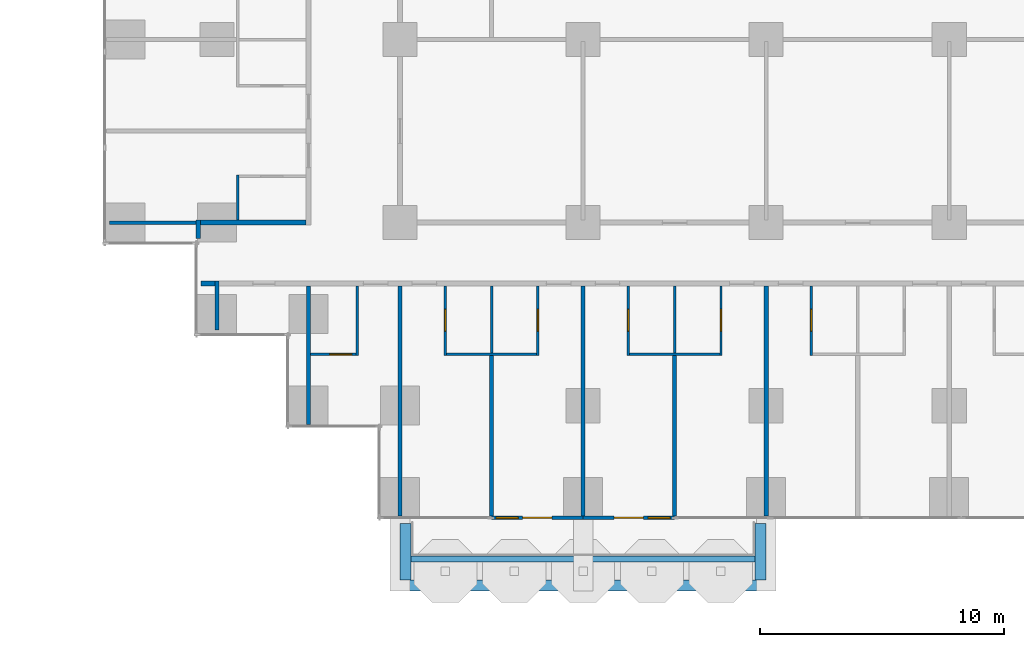
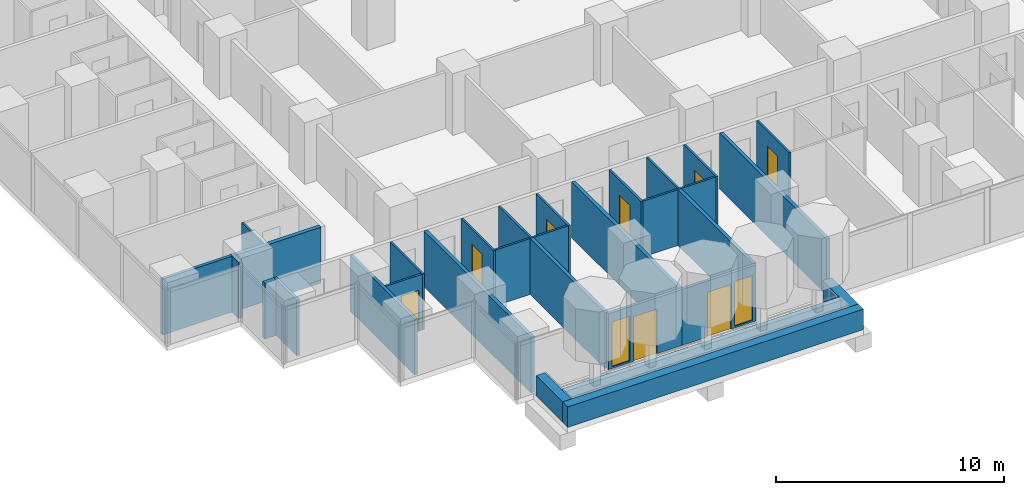
# One storey, part 9 of 18: 29 walls, 8 doors, 2 windows, 10 openings.
"""IFC4 building model written with IfcOpenShell, lengths in metres."""

from ifc_helpers import new_model, si_unit, direction, frame, frame_2d, origin, place, context, subcontext, project, spatial, rectangle, extrude, material, layer, layer_set, type_object, element, fill, save


model = new_model("IFC4")

# Units and contexts
model_context = context("Model", 3, precision=1e-05, world=origin(), true_north=direction((0.0, 1.0)))
body_context = subcontext(model_context, "Body", "Model", "MODEL_VIEW")
ifc_project = project(units=[si_unit("LENGTHUNIT", "METRE"), si_unit("AREAUNIT", "SQUARE_METRE"), si_unit("VOLUMEUNIT", "CUBIC_METRE"), si_unit("PLANEANGLEUNIT", "RADIAN"), si_unit("MASSUNIT", "GRAM", prefix="KILO")], contexts=[model_context])

# Site, building, storey
site_placement = place(None, origin())
site = spatial("IfcSite", under=ifc_project, at=site_placement, CompositionType="ELEMENT")
building_placement = place(site_placement, origin())
building = spatial("IfcBuilding", under=site, at=building_placement, Name="Pilkhan Gate Tower", CompositionType="ELEMENT")
storey_placement = place(building_placement, frame((0.0, 0.0, 42.800048828125)))
storey = spatial("IfcBuildingStorey", under=building, at=storey_placement, Name="L07", CompositionType="ELEMENT", Elevation=42.800048828125)

# Walls
ifc_material_1 = material(Name="Dense blockwork", Category="masonry")
ifc_layer_1 = layer(ifc_material_1, 0.175048828125)
ifc_layer_set_1 = layer_set([ifc_layer_1], Name="Acoustic party wall PW175")
wall_type_1 = type_object("IfcWallType", Name="Acoustic party wall PW175", PredefinedType="PARTITIONING", material=ifc_layer_set_1)
wall_1_placement = place(storey_placement, frame((60.0, 40.485107421875, 0.0), z_axis=(0.0, 0.0, 1.0), x_axis=(0.0, 1.0, 0.0)))
element("IfcWall", 1, at=wall_1_placement, inside=storey, type_object=wall_type_1, Name="Partition L07", PredefinedType="PARTITIONING", context=body_context, shape_type="SweptSolid", body=[
    extrude(rectangle(XDim=9.414794921875, YDim=0.175048828125, at=frame_2d((4.70751953125, 0.0))), origin(), (0.0, 0.0, 1.0), 3.0),
])
wall_2_placement = place(storey_placement, frame((63.75, 40.485107421875, 0.0), z_axis=(0.0, 0.0, 1.0), x_axis=(0.0, 1.0, 0.0)))
element("IfcWall", 2, at=wall_2_placement, inside=storey, type_object=wall_type_1, Name="Partition L07", PredefinedType="PARTITIONING", context=body_context, shape_type="SweptSolid", body=[
    extrude(rectangle(XDim=6.56494140625, YDim=0.175048828125, at=frame_2d((3.282470703125, 0.0))), origin(), (0.0, 0.0, 1.0), 3.0),
])
wall_3_placement = place(storey_placement, frame((67.5, 40.485107421875, 0.0), z_axis=(0.0, 0.0, 1.0), x_axis=(0.0, 1.0, 0.0)))
element("IfcWall", 3, at=wall_3_placement, inside=storey, type_object=wall_type_1, Name="Partition L07", PredefinedType="PARTITIONING", context=body_context, shape_type="SweptSolid", body=[
    extrude(rectangle(XDim=9.414794921875, YDim=0.175048828125, at=frame_2d((4.70751953125, 0.0))), origin(), (0.0, 0.0, 1.0), 3.0),
])
wall_4_placement = place(storey_placement, frame((71.25, 40.485107421875, 0.0), z_axis=(0.0, 0.0, 1.0), x_axis=(0.0, 1.0, 0.0)))
element("IfcWall", 4, at=wall_4_placement, inside=storey, type_object=wall_type_1, Name="Partition L07", PredefinedType="PARTITIONING", context=body_context, shape_type="SweptSolid", body=[
    extrude(rectangle(XDim=6.56494140625, YDim=0.175048828125, at=frame_2d((3.282470703125, 0.0))), origin(), (0.0, 0.0, 1.0), 3.0),
])
wall_5_placement = place(storey_placement, frame((75.0, 40.485107421875, 0.0), z_axis=(0.0, 0.0, 1.0), x_axis=(0.0, 1.0, 0.0)))
element("IfcWall", 5, at=wall_5_placement, inside=storey, type_object=wall_type_1, Name="Partition L07", PredefinedType="PARTITIONING", context=body_context, shape_type="SweptSolid", body=[
    extrude(rectangle(XDim=9.414794921875, YDim=0.175048828125, at=frame_2d((4.70751953125, 0.0))), origin(), (0.0, 0.0, 1.0), 3.0),
])
ifc_material_2 = material(Name="Concrete C40/50", Category="concrete")
ifc_layer_2 = layer(ifc_material_2, 0.25)
ifc_layer_set_2 = layer_set([ifc_layer_2], Name="Balcony planter BP250")
wall_type_2 = type_object("IfcWallType", Name="Balcony planter BP250", PredefinedType="USERDEFINED", material=ifc_layer_set_2)
wall_6_placement = place(storey_placement, frame((60.449951171875, 38.72509765625, 0.0), z_axis=(0.0, 0.0, 1.0), x_axis=(1.0, 0.0, 0.0)))
element("IfcWall", 6, at=wall_6_placement, inside=storey, type_object=wall_type_2, Name="Balcony planter L07 S", ObjectType="BALCONY PLANTER", PredefinedType="USERDEFINED", context=body_context, shape_type="SweptSolid", body=[
    extrude(rectangle(XDim=14.10009765625, YDim=0.25, at=frame_2d((7.050048828125, 0.0))), origin(), (0.0, 0.0, 1.0), 1.0),
])
ifc_material_3 = material(Name="Board-marked Concrete C40/50", Category="concrete")
ifc_layer_3 = layer(ifc_material_3, 0.449951171875)
ifc_layer_set_3 = layer_set([ifc_layer_3], Name="Balcony planter lip BL450")
wall_type_3 = type_object("IfcWallType", Name="Balcony planter lip BL450", PredefinedType="USERDEFINED", material=ifc_layer_set_3)
wall_7_placement = place(storey_placement, frame((60.0, 37.625, 0.0), z_axis=(0.0, 0.0, 1.0), x_axis=(1.0, 0.0, 0.0)))
element("IfcWall", 7, at=wall_7_placement, inside=storey, type_object=wall_type_3, Name="Balcony planter L07 S", ObjectType="BALCONY PLANTER", PredefinedType="USERDEFINED", context=body_context, shape_type="SweptSolid", body=[
    extrude(rectangle(XDim=15.0, YDim=0.449951171875, at=frame_2d((7.5, 0.0))), origin(), (0.0, 0.0, 1.0), 1.099853515625),
])
for number, where, z_axis, x_axis, name in (
    (8, (60.22509765625, 40.179931640625, 0.0), (0.0, 0.0, 1.0), (0.0, -1.0, 0.0), "Balcony planter L07 S"),
    (9, (74.77490234375, 40.179931640625, 0.0), (0.0, 0.0, 1.0), (0.0, -1.0, 0.0), "Balcony planter L07 S"),
):
    element("IfcWall", number, at=place(storey_placement, frame(where, z_axis=z_axis, x_axis=x_axis)), inside=storey, type_object=wall_type_3, Name=name, ObjectType="BALCONY PLANTER", PredefinedType="USERDEFINED", context=body_context, shape_type="SweptSolid", body=[
        extrude(rectangle(XDim=2.329833984375, YDim=0.449951171875, at=frame_2d((1.1650390625, 0.0))), origin(), (0.0, 0.0, 1.0), 1.099853515625),
    ])
ifc_layer_4 = layer(ifc_material_1, 0.199951171875)
ifc_layer_set_4 = layer_set([ifc_layer_4], Name="Corridor wall FW200")
wall_type_4 = type_object("IfcWallType", Name="Corridor wall FW200", PredefinedType="PARTITIONING", material=ifc_layer_set_4)
wall_8_placement = place(storey_placement, frame((51.85498046875, 50.0, 0.0), z_axis=(0.0, 0.0, 1.0), x_axis=(1.0, 0.0, 0.0)))
element("IfcWall", 10, at=wall_8_placement, inside=storey, type_object=wall_type_4, Name="Partition L07", PredefinedType="PARTITIONING", context=body_context, shape_type="SweptSolid", body=[
    extrude(rectangle(XDim=0.570068359375, YDim=0.199951171875, at=frame_2d((0.28515625, 0.0))), origin(), (0.0, 0.0, 1.0), 3.0),
])
wall_9_placement = place(storey_placement, frame((51.8349609375, 52.5, 0.0), z_axis=(0.0, 0.0, 1.0), x_axis=(1.0, 0.0, 0.0)))
element("IfcWall", 11, at=wall_9_placement, inside=storey, type_object=wall_type_4, Name="Partition L07", PredefinedType="PARTITIONING", context=body_context, shape_type="SweptSolid", body=[
    extrude(rectangle(XDim=4.31494140625, YDim=0.199951171875, at=frame_2d((2.157470703125, 0.0))), origin(), (0.0, 0.0, 1.0), 3.0),
])
wall_10_placement = place(storey_placement, frame((51.735107421875, 51.85498046875, 0.0), z_axis=(0.0, 0.0, 1.0), x_axis=(0.0, 1.0, 0.0)))
element("IfcWall", 12, at=wall_10_placement, inside=storey, type_object=wall_type_4, Name="Partition L07", PredefinedType="PARTITIONING", context=body_context, shape_type="SweptSolid", body=[
    extrude(rectangle(XDim=0.7451171875, YDim=0.199951171875, at=frame_2d((0.37255859375, 0.0))), origin(), (0.0, 0.0, 1.0), 3.0),
])

# Wall, openings, door, window
ifc_material_4 = material(Name="Pale anodised aluminium, clear laminated glazing", Category="aluminium")
ifc_layer_5 = layer(ifc_material_4, 0.14990234375)
ifc_layer_set_5 = layer_set([ifc_layer_5], Name="Facade infill wall IW150")
wall_type_5 = type_object("IfcWallType", Name="Facade infill wall IW150", PredefinedType="SOLIDWALL", material=ifc_layer_set_5)
wall_11_placement = place(storey_placement, frame((63.75, 40.405029296875, 0.0), z_axis=(0.0, 0.0, 1.0), x_axis=(1.0, 0.0, 0.0)))
wall_11 = element("IfcWall", 13, at=wall_11_placement, inside=storey, type_object=wall_type_5, Name="Infill wall L07 S", PredefinedType="SOLIDWALL", context=body_context, shape_type="SweptSolid", body=[
    extrude(rectangle(XDim=3.75, YDim=0.14990234375, at=frame_2d((1.875, 0.0))), origin(), (0.0, 0.0, 1.0), 3.0),
])
opening_1_placement = place(wall_11_placement, frame((0.1875, 0.0, 0.10009765625)))
opening_1 = element("IfcOpeningElement", 14, at=opening_1_placement, cuts=wall_11, Name="Opening W1", PredefinedType="OPENING", context=body_context, shape_type="SweptSolid", body=[
    extrude(rectangle(XDim=0.89990234375, YDim=2.39990234375, at=frame_2d((0.449951171875, 1.199951171875))), frame((0.0, 0.0849609375, 0.0), z_axis=(0.0, -1.0, 0.0), x_axis=(1.0, 0.0, 0.0)), (0.0, 0.0, 1.0), 0.169921875),
])
opening_2_placement = place(wall_11_placement, frame((1.27490234375, 0.0, 0.0)))
opening_2 = element("IfcOpeningElement", 15, at=opening_2_placement, cuts=wall_11, Name="Opening D1", PredefinedType="OPENING", context=body_context, shape_type="SweptSolid", body=[
    extrude(rectangle(XDim=1.199951171875, YDim=2.39990234375, at=frame_2d((0.60009765625, 1.199951171875))), frame((0.0, 0.0849609375, 0.0), z_axis=(0.0, -1.0, 0.0), x_axis=(1.0, 0.0, 0.0)), (0.0, 0.0, 1.0), 0.169921875),
])
ifc_material_5 = material(Name="Pale anodised aluminium, clear glazing", Category="aluminium")
door_type_1 = type_object("IfcDoorType", Name="Balcony door D1 1200x2400", OperationType="SINGLE_SWING_LEFT", PredefinedType="DOOR", material=ifc_material_5)
door_1_placement = place(opening_2_placement, origin())
door_1 = element("IfcDoor", 16, at=door_1_placement, inside=storey, type_object=door_type_1, Name="Balcony door L07", OperationType="SINGLE_SWING_LEFT", OverallHeight=2.39990234375, OverallWidth=1.199951171875, PredefinedType="DOOR", context=body_context, shape_type="SweptSolid", body=[
    extrude(rectangle(XDim=1.199951171875, YDim=2.39990234375, at=frame_2d((0.60009765625, 1.199951171875))), frame((0.0, 0.02490234375, 0.0), z_axis=(0.0, -1.0, 0.0), x_axis=(1.0, 0.0, 0.0)), (0.0, 0.0, 1.0), 0.050048828125),
])
fill(opening_2, door_1)
ifc_material_6 = material(Name="Pale anodised aluminium, clear double glazing", Category="aluminium")
window_type = type_object("IfcWindowType", Name="Window W1 900x2400", PartitioningType="SINGLE_PANEL", PredefinedType="WINDOW", material=ifc_material_6)
window_1_placement = place(opening_1_placement, origin())
window_1 = element("IfcWindow", 17, at=window_1_placement, inside=storey, type_object=window_type, Name="Window L07", OverallHeight=2.39990234375, OverallWidth=0.89990234375, PartitioningType="SINGLE_PANEL", PredefinedType="WINDOW", context=body_context, shape_type="SweptSolid", body=[
    extrude(rectangle(XDim=0.89990234375, YDim=2.39990234375, at=frame_2d((0.449951171875, 1.199951171875))), frame((0.0, 0.030029296875, 0.0), z_axis=(0.0, -1.0, 0.0), x_axis=(1.0, 0.0, 0.0)), (0.0, 0.0, 1.0), 0.06005859375),
])
fill(opening_1, window_1)

wall_12_placement = place(storey_placement, frame((67.5, 40.405029296875, 0.0), z_axis=(0.0, 0.0, 1.0), x_axis=(1.0, 0.0, 0.0)))
wall_12 = element("IfcWall", 18, at=wall_12_placement, inside=storey, type_object=wall_type_5, Name="Infill wall L07 S", PredefinedType="SOLIDWALL", context=body_context, shape_type="SweptSolid", body=[
    extrude(rectangle(XDim=3.75, YDim=0.14990234375, at=frame_2d((1.875, 0.0))), origin(), (0.0, 0.0, 1.0), 3.0),
])
opening_3_placement = place(wall_12_placement, frame((1.27490234375, 0.0, 0.0)))
opening_3 = element("IfcOpeningElement", 19, at=opening_3_placement, cuts=wall_12, Name="Opening D1", PredefinedType="OPENING", context=body_context, shape_type="SweptSolid", body=[
    extrude(rectangle(XDim=1.199951171875, YDim=2.39990234375, at=frame_2d((0.60009765625, 1.199951171875))), frame((0.0, 0.0849609375, 0.0), z_axis=(0.0, -1.0, 0.0), x_axis=(1.0, 0.0, 0.0)), (0.0, 0.0, 1.0), 0.169921875),
])
opening_4_placement = place(wall_12_placement, frame((2.66259765625, 0.0, 0.10009765625)))
opening_4 = element("IfcOpeningElement", 20, at=opening_4_placement, cuts=wall_12, Name="Opening W1", PredefinedType="OPENING", context=body_context, shape_type="SweptSolid", body=[
    extrude(rectangle(XDim=0.89990234375, YDim=2.39990234375, at=frame_2d((0.449951171875, 1.199951171875))), frame((0.0, 0.0849609375, 0.0), z_axis=(0.0, -1.0, 0.0), x_axis=(1.0, 0.0, 0.0)), (0.0, 0.0, 1.0), 0.169921875),
])
door_2_placement = place(opening_3_placement, origin())
door_2 = element("IfcDoor", 21, at=door_2_placement, inside=storey, type_object=door_type_1, Name="Balcony door L07", OperationType="SINGLE_SWING_LEFT", OverallHeight=2.39990234375, OverallWidth=1.199951171875, PredefinedType="DOOR", context=body_context, shape_type="SweptSolid", body=[
    extrude(rectangle(XDim=1.199951171875, YDim=2.39990234375, at=frame_2d((0.60009765625, 1.199951171875))), frame((0.0, 0.02490234375, 0.0), z_axis=(0.0, -1.0, 0.0), x_axis=(1.0, 0.0, 0.0)), (0.0, 0.0, 1.0), 0.050048828125),
])
fill(opening_3, door_2)
window_2_placement = place(opening_4_placement, origin())
window_2 = element("IfcWindow", 22, at=window_2_placement, inside=storey, type_object=window_type, Name="Window L07", OverallHeight=2.39990234375, OverallWidth=0.89990234375, PartitioningType="SINGLE_PANEL", PredefinedType="WINDOW", context=body_context, shape_type="SweptSolid", body=[
    extrude(rectangle(XDim=0.89990234375, YDim=2.39990234375, at=frame_2d((0.449951171875, 1.199951171875))), frame((0.0, 0.030029296875, 0.0), z_axis=(0.0, -1.0, 0.0), x_axis=(1.0, 0.0, 0.0)), (0.0, 0.0, 1.0), 0.06005859375),
])
fill(opening_4, window_2)

# Walls
ifc_material_7 = material(Name="Blockwork partition, plastered both sides", Category="masonry")
ifc_layer_6 = layer(ifc_material_7, 0.14990234375)
ifc_layer_set_6 = layer_set([ifc_layer_6], Name="Partition PW150")
wall_type_6 = type_object("IfcWallType", Name="Partition PW150", PredefinedType="PARTITIONING", material=ifc_layer_set_6)
wall_13_placement = place(storey_placement, frame((48.10498046875, 52.5, 0.0), z_axis=(0.0, 0.0, 1.0), x_axis=(1.0, 0.0, 0.0)))
element("IfcWall", 23, at=wall_13_placement, inside=storey, type_object=wall_type_6, Name="Partition L07", PredefinedType="PARTITIONING", context=body_context, shape_type="SweptSolid", body=[
    extrude(rectangle(XDim=3.530029296875, YDim=0.14990234375, at=frame_2d((1.76513671875, 0.0))), origin(), (0.0, 0.0, 1.0), 3.0),
])
wall_14_placement = place(storey_placement, frame((52.5, 48.10498046875, 0.0), z_axis=(0.0, 0.0, 1.0), x_axis=(0.0, 1.0, 0.0)))
element("IfcWall", 24, at=wall_14_placement, inside=storey, type_object=wall_type_6, Name="Partition L07", PredefinedType="PARTITIONING", context=body_context, shape_type="SweptSolid", body=[
    extrude(rectangle(XDim=1.9951171875, YDim=0.14990234375, at=frame_2d((0.99755859375, 0.0))), origin(), (0.0, 0.0, 1.0), 3.0),
])
wall_15_placement = place(storey_placement, frame((56.25, 44.235107421875, 0.0), z_axis=(0.0, 0.0, 1.0), x_axis=(0.0, 1.0, 0.0)))
element("IfcWall", 25, at=wall_15_placement, inside=storey, type_object=wall_type_6, Name="Partition L07", PredefinedType="PARTITIONING", context=body_context, shape_type="SweptSolid", body=[
    extrude(rectangle(XDim=5.664794921875, YDim=0.14990234375, at=frame_2d((2.83251953125, 0.0))), origin(), (0.0, 0.0, 1.0), 3.0),
])

# Wall, opening, door
ifc_material_8 = material(Name="Moisture resistant board, tiled")
ifc_layer_7 = layer(ifc_material_8, 0.10009765625)
ifc_layer_set_7 = layer_set([ifc_layer_7], Name="Wet wall PW100")
wall_type_7 = type_object("IfcWallType", Name="Wet wall PW100", PredefinedType="PARTITIONING", material=ifc_layer_set_7)
wall_16_placement = place(storey_placement, frame((56.324951171875, 47.10009765625, 0.0), z_axis=(0.0, 0.0, 1.0), x_axis=(1.0, 0.0, 0.0)))
wall_16 = element("IfcWall", 26, at=wall_16_placement, inside=storey, type_object=wall_type_7, Name="Partition L07", PredefinedType="PARTITIONING", context=body_context, shape_type="SweptSolid", body=[
    extrude(rectangle(XDim=1.875, YDim=0.10009765625, at=frame_2d((0.9375, 0.0))), origin(), (0.0, 0.0, 1.0), 3.0),
])
opening_5_placement = place(wall_16_placement, frame((0.800048828125, 0.0, 0.0)))
opening_5 = element("IfcOpeningElement", 27, at=opening_5_placement, cuts=wall_16, Name="Opening L07-07", PredefinedType="OPENING", context=body_context, shape_type="SweptSolid", body=[
    extrude(rectangle(XDim=0.89990234375, YDim=2.199951171875, at=frame_2d((0.449951171875, 1.10009765625))), frame((0.0, 0.06005859375, 0.0), z_axis=(0.0, -1.0, 0.0), x_axis=(1.0, 0.0, 0.0)), (0.0, 0.0, 1.0), 0.1201171875),
])
ifc_material_9 = material(Name="Timber flush door", Category="wood")
door_type_2 = type_object("IfcDoorType", Name="Bathroom door D02 900x2200", OperationType="SINGLE_SWING_RIGHT", PredefinedType="DOOR", material=ifc_material_9)
door_3_placement = place(opening_5_placement, origin())
door_3 = element("IfcDoor", 28, at=door_3_placement, inside=storey, type_object=door_type_2, Name="Bathroom door", OperationType="SINGLE_SWING_RIGHT", OverallHeight=2.199951171875, OverallWidth=0.89990234375, PredefinedType="DOOR", context=body_context, shape_type="SweptSolid", body=[
    extrude(rectangle(XDim=0.89990234375, YDim=2.199951171875, at=frame_2d((0.449951171875, 1.10009765625))), frame((0.0, 0.02490234375, 0.0), z_axis=(0.0, -1.0, 0.0), x_axis=(1.0, 0.0, 0.0)), (0.0, 0.0, 1.0), 0.050048828125),
])
fill(opening_5, door_3)

# Walls
for number, where, z_axis, x_axis, name in (
    (29, (61.89990234375, 47.10009765625, 0.0), (0.0, 0.0, 1.0), (1.0, 0.0, 0.0), "Partition L07"),
    (30, (69.39990234375, 47.10009765625, 0.0), (0.0, 0.0, 1.0), (1.0, 0.0, 0.0), "Partition L07"),
):
    element("IfcWall", number, at=place(storey_placement, frame(where, z_axis=z_axis, x_axis=x_axis)), inside=storey, type_object=wall_type_7, Name=name, PredefinedType="PARTITIONING", context=body_context, shape_type="SweptSolid", body=[
        extrude(rectangle(XDim=3.7001953125, YDim=0.10009765625, at=frame_2d((1.85009765625, 0.0))), origin(), (0.0, 0.0, 1.0), 3.0),
    ])
wall_17_placement = place(storey_placement, frame((53.35009765625, 52.60009765625, 0.0), z_axis=(0.0, 0.0, 1.0), x_axis=(0.0, 1.0, 0.0)))
element("IfcWall", 31, at=wall_17_placement, inside=storey, type_object=wall_type_7, Name="Partition L07", PredefinedType="PARTITIONING", context=body_context, shape_type="SweptSolid", body=[
    extrude(rectangle(XDim=1.849853515625, YDim=0.10009765625, at=frame_2d((0.9248046875, 0.0))), origin(), (0.0, 0.0, 1.0), 3.0),
])
wall_18_placement = place(storey_placement, frame((58.25, 47.050048828125, 0.0), z_axis=(0.0, 0.0, 1.0), x_axis=(0.0, 1.0, 0.0)))
element("IfcWall", 32, at=wall_18_placement, inside=storey, type_object=wall_type_7, Name="Partition L07", PredefinedType="PARTITIONING", context=body_context, shape_type="SweptSolid", body=[
    extrude(rectangle(XDim=2.849853515625, YDim=0.10009765625, at=frame_2d((1.4248046875, 0.0))), origin(), (0.0, 0.0, 1.0), 3.0),
])

# Wall, opening, door
wall_19_placement = place(storey_placement, frame((61.85009765625, 47.050048828125, 0.0), z_axis=(0.0, 0.0, 1.0), x_axis=(0.0, 1.0, 0.0)))
wall_19 = element("IfcWall", 33, at=wall_19_placement, inside=storey, type_object=wall_type_7, Name="Partition L07", PredefinedType="PARTITIONING", context=body_context, shape_type="SweptSolid", body=[
    extrude(rectangle(XDim=2.849853515625, YDim=0.10009765625, at=frame_2d((1.4248046875, 0.0))), origin(), (0.0, 0.0, 1.0), 3.0),
])
opening_6_placement = place(wall_19_placement, frame((1.0, 0.0, 0.0)))
opening_6 = element("IfcOpeningElement", 34, at=opening_6_placement, cuts=wall_19, Name="Opening L07-09", PredefinedType="OPENING", context=body_context, shape_type="SweptSolid", body=[
    extrude(rectangle(XDim=0.89990234375, YDim=2.199951171875, at=frame_2d((0.449951171875, 1.10009765625))), frame((0.0, 0.06005859375, 0.0), z_axis=(0.0, -1.0, 0.0), x_axis=(1.0, 0.0, 0.0)), (0.0, 0.0, 1.0), 0.1201171875),
])
door_4_placement = place(opening_6_placement, origin())
door_4 = element("IfcDoor", 35, at=door_4_placement, inside=storey, type_object=door_type_2, Name="Bathroom door", OperationType="SINGLE_SWING_RIGHT", OverallHeight=2.199951171875, OverallWidth=0.89990234375, PredefinedType="DOOR", context=body_context, shape_type="SweptSolid", body=[
    extrude(rectangle(XDim=0.89990234375, YDim=2.199951171875, at=frame_2d((0.449951171875, 1.10009765625))), frame((0.0, 0.02490234375, 0.0), z_axis=(0.0, -1.0, 0.0), x_axis=(1.0, 0.0, 0.0)), (0.0, 0.0, 1.0), 0.050048828125),
])
fill(opening_6, door_4)

# Wall
wall_20_placement = place(storey_placement, frame((63.75, 47.14990234375, 0.0), z_axis=(0.0, 0.0, 1.0), x_axis=(0.0, 1.0, 0.0)))
element("IfcWall", 36, at=wall_20_placement, inside=storey, type_object=wall_type_7, Name="Partition L07", PredefinedType="PARTITIONING", context=body_context, shape_type="SweptSolid", body=[
    extrude(rectangle(XDim=2.75, YDim=0.10009765625, at=frame_2d((1.375, 0.0))), origin(), (0.0, 0.0, 1.0), 3.0),
])

# Wall, opening, door
wall_21_placement = place(storey_placement, frame((65.64990234375, 47.050048828125, 0.0), z_axis=(0.0, 0.0, 1.0), x_axis=(0.0, 1.0, 0.0)))
wall_21 = element("IfcWall", 37, at=wall_21_placement, inside=storey, type_object=wall_type_7, Name="Partition L07", PredefinedType="PARTITIONING", context=body_context, shape_type="SweptSolid", body=[
    extrude(rectangle(XDim=2.849853515625, YDim=0.10009765625, at=frame_2d((1.4248046875, 0.0))), origin(), (0.0, 0.0, 1.0), 3.0),
])
opening_7_placement = place(wall_21_placement, frame((1.0, 0.0, 0.0)))
opening_7 = element("IfcOpeningElement", 38, at=opening_7_placement, cuts=wall_21, Name="Opening L07-11", PredefinedType="OPENING", context=body_context, shape_type="SweptSolid", body=[
    extrude(rectangle(XDim=0.89990234375, YDim=2.199951171875, at=frame_2d((0.449951171875, 1.10009765625))), frame((0.0, 0.06005859375, 0.0), z_axis=(0.0, -1.0, 0.0), x_axis=(1.0, 0.0, 0.0)), (0.0, 0.0, 1.0), 0.1201171875),
])
door_5_placement = place(opening_7_placement, origin())
door_5 = element("IfcDoor", 39, at=door_5_placement, inside=storey, type_object=door_type_2, Name="Bathroom door", OperationType="SINGLE_SWING_RIGHT", OverallHeight=2.199951171875, OverallWidth=0.89990234375, PredefinedType="DOOR", context=body_context, shape_type="SweptSolid", body=[
    extrude(rectangle(XDim=0.89990234375, YDim=2.199951171875, at=frame_2d((0.449951171875, 1.10009765625))), frame((0.0, 0.02490234375, 0.0), z_axis=(0.0, -1.0, 0.0), x_axis=(1.0, 0.0, 0.0)), (0.0, 0.0, 1.0), 0.050048828125),
])
fill(opening_7, door_5)

wall_22_placement = place(storey_placement, frame((69.35009765625, 47.050048828125, 0.0), z_axis=(0.0, 0.0, 1.0), x_axis=(0.0, 1.0, 0.0)))
wall_22 = element("IfcWall", 40, at=wall_22_placement, inside=storey, type_object=wall_type_7, Name="Partition L07", PredefinedType="PARTITIONING", context=body_context, shape_type="SweptSolid", body=[
    extrude(rectangle(XDim=2.849853515625, YDim=0.10009765625, at=frame_2d((1.4248046875, 0.0))), origin(), (0.0, 0.0, 1.0), 3.0),
])
opening_8_placement = place(wall_22_placement, frame((1.0, 0.0, 0.0)))
opening_8 = element("IfcOpeningElement", 41, at=opening_8_placement, cuts=wall_22, Name="Opening L07-13", PredefinedType="OPENING", context=body_context, shape_type="SweptSolid", body=[
    extrude(rectangle(XDim=0.89990234375, YDim=2.199951171875, at=frame_2d((0.449951171875, 1.10009765625))), frame((0.0, 0.06005859375, 0.0), z_axis=(0.0, -1.0, 0.0), x_axis=(1.0, 0.0, 0.0)), (0.0, 0.0, 1.0), 0.1201171875),
])
door_6_placement = place(opening_8_placement, origin())
door_6 = element("IfcDoor", 42, at=door_6_placement, inside=storey, type_object=door_type_2, Name="Bathroom door", OperationType="SINGLE_SWING_RIGHT", OverallHeight=2.199951171875, OverallWidth=0.89990234375, PredefinedType="DOOR", context=body_context, shape_type="SweptSolid", body=[
    extrude(rectangle(XDim=0.89990234375, YDim=2.199951171875, at=frame_2d((0.449951171875, 1.10009765625))), frame((0.0, 0.02490234375, 0.0), z_axis=(0.0, -1.0, 0.0), x_axis=(1.0, 0.0, 0.0)), (0.0, 0.0, 1.0), 0.050048828125),
])
fill(opening_8, door_6)

# Wall
wall_23_placement = place(storey_placement, frame((71.25, 47.14990234375, 0.0), z_axis=(0.0, 0.0, 1.0), x_axis=(0.0, 1.0, 0.0)))
element("IfcWall", 43, at=wall_23_placement, inside=storey, type_object=wall_type_7, Name="Partition L07", PredefinedType="PARTITIONING", context=body_context, shape_type="SweptSolid", body=[
    extrude(rectangle(XDim=2.75, YDim=0.10009765625, at=frame_2d((1.375, 0.0))), origin(), (0.0, 0.0, 1.0), 3.0),
])

# Wall, opening, door
wall_24_placement = place(storey_placement, frame((73.14990234375, 47.050048828125, 0.0), z_axis=(0.0, 0.0, 1.0), x_axis=(0.0, 1.0, 0.0)))
wall_24 = element("IfcWall", 44, at=wall_24_placement, inside=storey, type_object=wall_type_7, Name="Partition L07", PredefinedType="PARTITIONING", context=body_context, shape_type="SweptSolid", body=[
    extrude(rectangle(XDim=2.849853515625, YDim=0.10009765625, at=frame_2d((1.4248046875, 0.0))), origin(), (0.0, 0.0, 1.0), 3.0),
])
opening_9_placement = place(wall_24_placement, frame((1.0, 0.0, 0.0)))
opening_9 = element("IfcOpeningElement", 45, at=opening_9_placement, cuts=wall_24, Name="Opening L07-15", PredefinedType="OPENING", context=body_context, shape_type="SweptSolid", body=[
    extrude(rectangle(XDim=0.89990234375, YDim=2.199951171875, at=frame_2d((0.449951171875, 1.10009765625))), frame((0.0, 0.06005859375, 0.0), z_axis=(0.0, -1.0, 0.0), x_axis=(1.0, 0.0, 0.0)), (0.0, 0.0, 1.0), 0.1201171875),
])
door_7_placement = place(opening_9_placement, origin())
door_7 = element("IfcDoor", 46, at=door_7_placement, inside=storey, type_object=door_type_2, Name="Bathroom door", OperationType="SINGLE_SWING_RIGHT", OverallHeight=2.199951171875, OverallWidth=0.89990234375, PredefinedType="DOOR", context=body_context, shape_type="SweptSolid", body=[
    extrude(rectangle(XDim=0.89990234375, YDim=2.199951171875, at=frame_2d((0.449951171875, 1.10009765625))), frame((0.0, 0.02490234375, 0.0), z_axis=(0.0, -1.0, 0.0), x_axis=(1.0, 0.0, 0.0)), (0.0, 0.0, 1.0), 0.050048828125),
])
fill(opening_9, door_7)

wall_25_placement = place(storey_placement, frame((76.85009765625, 47.050048828125, 0.0), z_axis=(0.0, 0.0, 1.0), x_axis=(0.0, 1.0, 0.0)))
wall_25 = element("IfcWall", 47, at=wall_25_placement, inside=storey, type_object=wall_type_7, Name="Partition L07", PredefinedType="PARTITIONING", context=body_context, shape_type="SweptSolid", body=[
    extrude(rectangle(XDim=2.849853515625, YDim=0.10009765625, at=frame_2d((1.4248046875, 0.0))), origin(), (0.0, 0.0, 1.0), 3.0),
])
opening_10_placement = place(wall_25_placement, frame((1.0, 0.0, 0.0)))
opening_10 = element("IfcOpeningElement", 48, at=opening_10_placement, cuts=wall_25, Name="Opening L07-17", PredefinedType="OPENING", context=body_context, shape_type="SweptSolid", body=[
    extrude(rectangle(XDim=0.89990234375, YDim=2.199951171875, at=frame_2d((0.449951171875, 1.10009765625))), frame((0.0, 0.06005859375, 0.0), z_axis=(0.0, -1.0, 0.0), x_axis=(1.0, 0.0, 0.0)), (0.0, 0.0, 1.0), 0.1201171875),
])
door_8_placement = place(opening_10_placement, origin())
door_8 = element("IfcDoor", 49, at=door_8_placement, inside=storey, type_object=door_type_2, Name="Bathroom door", OperationType="SINGLE_SWING_RIGHT", OverallHeight=2.199951171875, OverallWidth=0.89990234375, PredefinedType="DOOR", context=body_context, shape_type="SweptSolid", body=[
    extrude(rectangle(XDim=0.89990234375, YDim=2.199951171875, at=frame_2d((0.449951171875, 1.10009765625))), frame((0.0, 0.02490234375, 0.0), z_axis=(0.0, -1.0, 0.0), x_axis=(1.0, 0.0, 0.0)), (0.0, 0.0, 1.0), 0.050048828125),
])
fill(opening_10, door_8)

save(model, "model.ifc")
